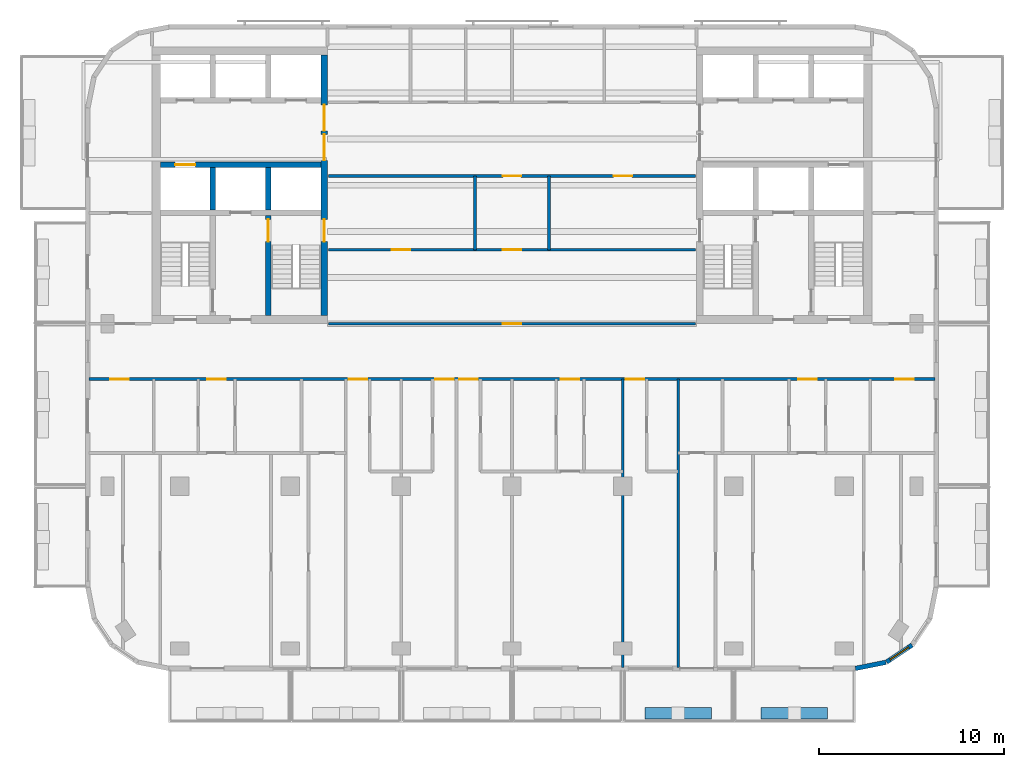
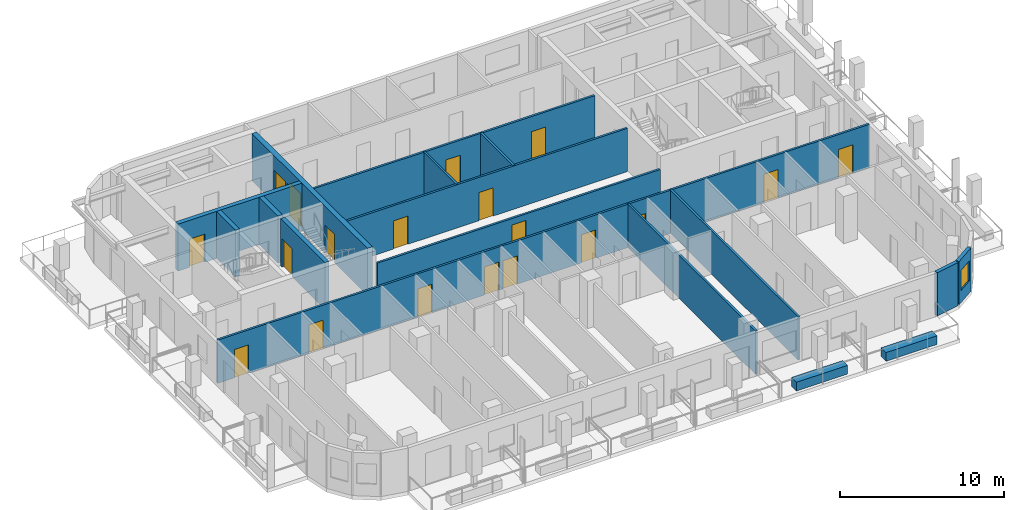
# One storey, part 4 of 11: 19 doors, 17 walls, 1 window, 20 openings.
"""IFC4 building model written with IfcOpenShell, lengths in metres."""

from ifc_helpers import new_model, si_unit, direction, frame, frame_2d, origin, place, context, subcontext, project, spatial, rectangle, extrude, material, layer, layer_set, type_object, element, fill, save


model = new_model("IFC4")

# Units and contexts
model_context = context("Model", 3, precision=1e-05, world=origin(), true_north=direction((0.0, 1.0)))
body_context = subcontext(model_context, "Body", "Model", "MODEL_VIEW")
ifc_project = project(units=[si_unit("LENGTHUNIT", "METRE"), si_unit("AREAUNIT", "SQUARE_METRE"), si_unit("VOLUMEUNIT", "CUBIC_METRE"), si_unit("PLANEANGLEUNIT", "RADIAN"), si_unit("MASSUNIT", "GRAM", prefix="KILO")], contexts=[model_context])

# Site, building, storey
site_placement = place(None, origin())
site = spatial("IfcSite", under=ifc_project, at=site_placement, CompositionType="ELEMENT")
building_placement = place(site_placement, origin())
building = spatial("IfcBuilding", under=site, at=building_placement, Name="Torana Hotel and Residences", CompositionType="ELEMENT")
storey_placement = place(building_placement, frame((0.0, 0.0, 270.10009765625)))
storey = spatial("IfcBuildingStorey", under=building, at=storey_placement, Name="L71", CompositionType="ELEMENT", Elevation=270.10009765625)

# Wall, opening, door
ifc_material_1 = material(Name="Concrete C60/75", Category="concrete")
ifc_layer_1 = layer(ifc_material_1, 0.300048828125)
ifc_layer_set_1 = layer_set([ifc_layer_1], Name="CORE WALL 300 C60/75")
wall_type_1 = type_object("IfcWallType", Name="CORE WALL 300 C60/75", PredefinedType="SHEAR", material=ifc_layer_set_1)
wall_1_placement = place(storey_placement, frame((-19.050048828125, -6.39990234375, 0.0), z_axis=(0.0, 0.0, 1.0), x_axis=(1.0, 0.0, 0.0)))
wall_1 = element("IfcWall", 1, at=wall_1_placement, inside=storey, type_object=wall_type_1, Name="Core wall W row-S", PredefinedType="SHEAR", context=body_context, shape_type="SweptSolid", body=[
    extrude(rectangle(XDim=8.699951171875, YDim=0.300048828125, at=frame_2d((4.35009765625, 0.0))), origin(), (0.0, 0.0, 1.0), 3.5),
])
opening_1_placement = place(wall_1_placement, frame((0.800048828125, 0.0, 0.0)))
opening_1 = element("IfcOpeningElement", 2, at=opening_1_placement, cuts=wall_1, Name="Opening LD", PredefinedType="OPENING", context=body_context, shape_type="SweptSolid", body=[
    extrude(rectangle(XDim=1.10009765625, YDim=2.10009765625, at=frame_2d((0.550048828125, 1.050048828125))), frame((0.0, 0.159912109375, 0.0), z_axis=(0.0, -1.0, 0.0), x_axis=(1.0, 0.0, 0.0)), (0.0, 0.0, 1.0), 0.320068359375),
])
ifc_material_2 = material(Name="Stainless steel 316", Category="steel")
door_type_1 = type_object("IfcDoorType", Name="LIFT LANDING DOOR LD 1100x2100", OperationType="DOUBLE_DOOR_SLIDING", PredefinedType="USERDEFINED", material=ifc_material_2)
door_1_placement = place(opening_1_placement, origin())
door_1 = element("IfcDoor", 3, at=door_1_placement, inside=storey, type_object=door_type_1, Name="Lift landing door SV1 L71", ObjectType="LIFT LANDING DOOR", OperationType="DOUBLE_DOOR_SLIDING", OverallHeight=2.10009765625, OverallWidth=1.10009765625, PredefinedType="USERDEFINED", context=body_context, shape_type="SweptSolid", body=[
    extrude(rectangle(XDim=1.10009765625, YDim=2.10009765625, at=frame_2d((0.550048828125, 1.050048828125))), frame((0.0, 0.02490234375, 0.0), z_axis=(0.0, -1.0, 0.0), x_axis=(1.0, 0.0, 0.0)), (0.0, 0.0, 1.0), 0.050048828125),
])
fill(opening_1, door_1)

# Wall
wall_2_placement = place(storey_placement, frame((-13.199951171875, -8.85009765625, 0.0), z_axis=(0.0, 0.0, 1.0), x_axis=(0.0, 1.0, 0.0)))
element("IfcWall", 4, at=wall_2_placement, inside=storey, type_object=wall_type_1, Name="Core wall W x3.05-S", PredefinedType="SHEAR", context=body_context, shape_type="SweptSolid", body=[
    extrude(rectangle(XDim=2.300048828125, YDim=0.300048828125, at=frame_2d((1.14990234375, 0.0))), origin(), (0.0, 0.0, 1.0), 3.5),
])

# Wall, opening, door
wall_3_placement = place(storey_placement, frame((-13.199951171875, -14.550048828125, 0.0), z_axis=(0.0, 0.0, 1.0), x_axis=(0.0, 1.0, 0.0)))
wall_3 = element("IfcWall", 5, at=wall_3_placement, inside=storey, type_object=wall_type_1, Name="Core wall W x3.05-band", PredefinedType="SHEAR", context=body_context, shape_type="SweptSolid", body=[
    extrude(rectangle(XDim=5.400146484375, YDim=0.300048828125, at=frame_2d((2.7001953125, 0.0))), origin(), (0.0, 0.0, 1.0), 3.5),
])
opening_2_placement = place(wall_3_placement, frame((4.0, 0.0, 0.0)))
opening_2 = element("IfcOpeningElement", 6, at=opening_2_placement, cuts=wall_3, Name="Opening L71-07", PredefinedType="OPENING", context=body_context, shape_type="SweptSolid", body=[
    extrude(rectangle(XDim=1.199951171875, YDim=2.10009765625, at=frame_2d((0.60009765625, 1.050048828125))), frame((0.0, 0.159912109375, 0.0), z_axis=(0.0, -1.0, 0.0), x_axis=(1.0, 0.0, 0.0)), (0.0, 0.0, 1.0), 0.320068359375),
])
ifc_material_3 = material(Name="Steel S235", Category="steel")
door_type_2 = type_object("IfcDoorType", Name="STAIR FIRE DOOR D3 1200x2100", OperationType="SINGLE_SWING_LEFT", PredefinedType="DOOR", material=ifc_material_3)
door_2_placement = place(opening_2_placement, frame((0.60009765625, 0.0, 0.0), z_axis=(0.0, 0.0, 1.0), x_axis=(-1.0, 0.0, 0.0)))
door_2 = element("IfcDoor", 7, at=door_2_placement, inside=storey, type_object=door_type_2, Name="Stair-A-lobby door L71", OperationType="SINGLE_SWING_RIGHT", OverallHeight=2.10009765625, OverallWidth=1.199951171875, PredefinedType="DOOR", context=body_context, shape_type="SweptSolid", body=[
    extrude(rectangle(XDim=1.199951171875, YDim=2.10009765625, at=frame_2d((0.0, 1.050048828125))), frame((0.0, -0.02490234375, 0.0), z_axis=(0.0, 1.0, 0.0), x_axis=(-1.0, 0.0, 0.0)), (0.0, 0.0, 1.0), 0.050048828125),
])
fill(opening_2, door_2)

# Wall
wall_4_placement = place(storey_placement, frame((-16.199951171875, -8.85009765625, 0.0), z_axis=(0.0, 0.0, 1.0), x_axis=(0.0, 1.0, 0.0)))
element("IfcWall", 8, at=wall_4_placement, inside=storey, type_object=wall_type_1, Name="Core wall W x6.05-S", PredefinedType="SHEAR", context=body_context, shape_type="SweptSolid", body=[
    extrude(rectangle(XDim=2.300048828125, YDim=0.300048828125, at=frame_2d((1.14990234375, 0.0))), origin(), (0.0, 0.0, 1.0), 3.5),
])

# Wall, openings, doors
ifc_material_4 = material(Name="Concrete C60/75", Category="concrete")
ifc_layer_2 = layer(ifc_material_4, 0.35009765625)
ifc_layer_set_2 = layer_set([ifc_layer_2], Name="CORE WALL 350 C60/75")
wall_type_2 = type_object("IfcWallType", Name="CORE WALL 350 C60/75", PredefinedType="SHEAR", material=ifc_layer_set_2)
wall_5_placement = place(storey_placement, frame((-10.175048828125, -14.550048828125, 0.0), z_axis=(0.0, 0.0, 1.0), x_axis=(0.0, 1.0, 0.0)))
wall_5 = element("IfcWall", 9, at=wall_5_placement, inside=storey, type_object=wall_type_2, Name="Core wall W arch", PredefinedType="SHEAR", context=body_context, shape_type="SweptSolid", body=[
    extrude(rectangle(XDim=14.10009765625, YDim=0.35009765625, at=frame_2d((7.050048828125, 0.0))), origin(), (0.0, 0.0, 1.0), 3.5),
])
opening_3_placement = place(wall_5_placement, frame((8.39990234375, 0.0, 0.0)))
opening_3 = element("IfcOpeningElement", 10, at=opening_3_placement, cuts=wall_5, Name="Opening L71-01", PredefinedType="OPENING", context=body_context, shape_type="SweptSolid", body=[
    extrude(rectangle(XDim=1.39990234375, YDim=2.39990234375, at=frame_2d((0.699951171875, 1.199951171875))), frame((0.0, 0.18505859375, 0.0), z_axis=(0.0, -1.0, 0.0), x_axis=(1.0, 0.0, 0.0)), (0.0, 0.0, 1.0), 0.3701171875),
])
opening_4_placement = place(wall_5_placement, frame((10.0, 0.0, 0.0)))
opening_4 = element("IfcOpeningElement", 11, at=opening_4_placement, cuts=wall_5, Name="Opening L71-02", PredefinedType="OPENING", context=body_context, shape_type="SweptSolid", body=[
    extrude(rectangle(XDim=1.39990234375, YDim=2.39990234375, at=frame_2d((0.699951171875, 1.199951171875))), frame((0.0, 0.18505859375, 0.0), z_axis=(0.0, -1.0, 0.0), x_axis=(1.0, 0.0, 0.0)), (0.0, 0.0, 1.0), 0.3701171875),
])
opening_5_placement = place(wall_5_placement, frame((4.0, 0.0, 0.0)))
opening_5 = element("IfcOpeningElement", 12, at=opening_5_placement, cuts=wall_5, Name="Opening L71-03", PredefinedType="OPENING", context=body_context, shape_type="SweptSolid", body=[
    extrude(rectangle(XDim=1.199951171875, YDim=2.10009765625, at=frame_2d((0.60009765625, 1.050048828125))), frame((0.0, 0.18505859375, 0.0), z_axis=(0.0, -1.0, 0.0), x_axis=(1.0, 0.0, 0.0)), (0.0, 0.0, 1.0), 0.3701171875),
])
ifc_material_5 = material(Name="Steel S235", Category="steel")
door_type_3 = type_object("IfcDoorType", Name="LOBBY FIRE DOOR D4 1400x2400", OperationType="DOUBLE_DOOR_SINGLE_SWING", PredefinedType="DOOR", material=ifc_material_5)
door_3_placement = place(opening_3_placement, origin())
door_3 = element("IfcDoor", 13, at=door_3_placement, inside=storey, type_object=door_type_3, Name="Lobby-1 door L71", OperationType="DOUBLE_DOOR_SINGLE_SWING", OverallHeight=2.39990234375, OverallWidth=1.39990234375, PredefinedType="DOOR", context=body_context, shape_type="SweptSolid", body=[
    extrude(rectangle(XDim=1.39990234375, YDim=2.39990234375, at=frame_2d((0.699951171875, 1.199951171875))), frame((0.0, 0.02490234375, 0.0), z_axis=(0.0, -1.0, 0.0), x_axis=(1.0, 0.0, 0.0)), (0.0, 0.0, 1.0), 0.050048828125),
])
fill(opening_3, door_3)
door_4_placement = place(opening_4_placement, origin())
door_4 = element("IfcDoor", 14, at=door_4_placement, inside=storey, type_object=door_type_3, Name="Lobby-2 door L71", OperationType="DOUBLE_DOOR_SINGLE_SWING", OverallHeight=2.39990234375, OverallWidth=1.39990234375, PredefinedType="DOOR", context=body_context, shape_type="SweptSolid", body=[
    extrude(rectangle(XDim=1.39990234375, YDim=2.39990234375, at=frame_2d((0.699951171875, 1.199951171875))), frame((0.0, 0.02490234375, 0.0), z_axis=(0.0, -1.0, 0.0), x_axis=(1.0, 0.0, 0.0)), (0.0, 0.0, 1.0), 0.050048828125),
])
fill(opening_4, door_4)
door_5_placement = place(opening_5_placement, origin())
door_5 = element("IfcDoor", 15, at=door_5_placement, inside=storey, type_object=door_type_2, Name="Stair-A door L71", OperationType="SINGLE_SWING_LEFT", OverallHeight=2.10009765625, OverallWidth=1.199951171875, PredefinedType="DOOR", context=body_context, shape_type="SweptSolid", body=[
    extrude(rectangle(XDim=1.199951171875, YDim=2.10009765625, at=frame_2d((0.60009765625, 1.050048828125))), frame((0.0, 0.02490234375, 0.0), z_axis=(0.0, -1.0, 0.0), x_axis=(1.0, 0.0, 0.0)), (0.0, 0.0, 1.0), 0.050048828125),
])
fill(opening_5, door_5)

# Wall
ifc_material_6 = material(Name="Black aluminium composite panel", Category="aluminium")
ifc_layer_3 = layer(ifc_material_6, 0.00390625, Name="Cladding", Category="cladding")
ifc_material_7 = material(Name="Ventilated air cavity")
ifc_layer_4 = layer(ifc_material_7, 0.0400390625, Name="Ventilated cavity", Category="cavity")
ifc_material_8 = material(Name="Mineral wool insulation")
ifc_layer_5 = layer(ifc_material_8, 0.090087890625, Name="Insulation", Category="insulation")
ifc_material_9 = material(Name="Steel S280GD", Category="steel")
ifc_layer_6 = layer(ifc_material_9, 0.092041015625, Name="Steel stud frame", Category="structure")
ifc_material_10 = material(Name="Fire rated plasterboard")
ifc_layer_7 = layer(ifc_material_10, 0.011962890625, Name="Inner board", Category="finish")
ifc_layer_8 = layer(ifc_material_10, 0.011962890625, Name="Second board", Category="finish")
ifc_layer_set_3 = layer_set([ifc_layer_3, ifc_layer_4, ifc_layer_5, ifc_layer_6, ifc_layer_7, ifc_layer_8], Name="EW1 EXTERNAL WALL BLACK METAL CLAD 250")
wall_type_3 = type_object("IfcWallType", Name="EW1 EXTERNAL WALL BLACK METAL CLAD 250", PredefinedType="SOLIDWALL", material=ifc_layer_set_3)
wall_6_placement = place(storey_placement, frame((18.599853515625, -33.672607421875, 0.0), z_axis=(0.0, 0.0, 1.0), x_axis=(0.980770110232, 0.195166572128, 0.0)))
element("IfcWall", 16, at=wall_6_placement, inside=storey, type_object=wall_type_3, Name="External wall L71 e0.15", PredefinedType="SOLIDWALL", context=body_context, shape_type="SweptSolid", body=[
    extrude(rectangle(XDim=1.68115234375, YDim=0.25, at=frame_2d((0.840576171875, 0.0))), origin(), (0.0, 0.0, 1.0), 3.219970703125),
])

# Wall, opening, window
wall_7_placement = place(storey_placement, frame((20.2939453125, -33.325927734375, 0.0), z_axis=(0.0, 0.0, 1.0), x_axis=(0.831482937015, 0.55555029066, 0.0)))
wall_7 = element("IfcWall", 17, at=wall_7_placement, inside=storey, type_object=wall_type_3, Name="External wall L71 e0.16", PredefinedType="SOLIDWALL", context=body_context, shape_type="SweptSolid", body=[
    extrude(rectangle(XDim=1.65625, YDim=0.25, at=frame_2d((0.828125, 0.0))), origin(), (0.0, 0.0, 1.0), 3.219970703125),
])
opening_6_placement = place(wall_7_placement, frame((0.228271484375, 0.0, 0.89990234375)))
opening_6 = element("IfcOpeningElement", 18, at=opening_6_placement, cuts=wall_7, Name="Opening W5", PredefinedType="OPENING", context=body_context, shape_type="SweptSolid", body=[
    extrude(rectangle(XDim=1.199951171875, YDim=1.5, at=frame_2d((0.60009765625, 0.75))), frame((0.0, 0.135009765625, 0.0), z_axis=(0.0, -1.0, 0.0), x_axis=(1.0, 0.0, 0.0)), (0.0, 0.0, 1.0), 0.27001953125),
])
ifc_material_11 = material(Name="Dark glass in black aluminium frame", Category="aluminium")
window_type = type_object("IfcWindowType", Name="W5 CORNER FACET WINDOW 1200x1500", PartitioningType="SINGLE_PANEL", PredefinedType="WINDOW", material=ifc_material_11)
window_placement = place(opening_6_placement, origin())
window = element("IfcWindow", 19, at=window_placement, inside=storey, type_object=window_type, Name="Window L71 e0.16", OverallHeight=1.5, OverallWidth=1.199951171875, PartitioningType="SINGLE_PANEL", PredefinedType="WINDOW", context=body_context, shape_type="SweptSolid", body=[
    extrude(rectangle(XDim=1.199951171875, YDim=1.5, at=frame_2d((0.60009765625, 0.75))), frame((0.0, 0.030029296875, 0.0), z_axis=(0.0, -1.0, 0.0), x_axis=(1.0, 0.0, 0.0)), (0.0, 0.0, 1.0), 0.06005859375),
])
fill(opening_6, window)

# Walls
ifc_material_12 = material(Name="Gypsum plaster")
ifc_layer_9 = layer(ifc_material_12, 0.014892578125, Name="Plaster", Category="finish")
ifc_material_13 = material(Name="Concrete blockwork", Category="masonry")
ifc_layer_10 = layer(ifc_material_13, 0.1201171875, Name="Blockwork", Category="structure")
ifc_layer_11 = layer(ifc_material_12, 0.014892578125, Name="Plaster", Category="finish")
ifc_layer_set_4 = layer_set([ifc_layer_9, ifc_layer_10, ifc_layer_11], Name="FIRE PARTITION 150 BLOCKWORK")
wall_type_4 = type_object("IfcWallType", Name="FIRE PARTITION 150 BLOCKWORK", PredefinedType="PARTITIONING", material=ifc_layer_set_4)
for number, where, z_axis, x_axis, name in (
    (20, (2.0, -11.0, 0.0), (0.0, 0.0, 1.0), (0.0, 1.0, 0.0), "Partition L71"),
    (21, (-2.0, -11.0, 0.0), (0.0, 0.0, 1.0), (0.0, 1.0, 0.0), "Partition L71"),
):
    element("IfcWall", number, at=place(storey_placement, frame(where, z_axis=z_axis, x_axis=x_axis)), inside=storey, type_object=wall_type_4, Name=name, PredefinedType="PARTITIONING", context=body_context, shape_type="SweptSolid", body=[
        extrude(rectangle(XDim=4.0, YDim=0.14990234375, at=frame_2d((2.0, 0.0))), origin(), (0.0, 0.0, 1.0), 3.219970703125),
    ])

# Wall, openings, doors
wall_8_placement = place(storey_placement, frame((-22.919921875, -18.0, 0.0), z_axis=(0.0, 0.0, 1.0), x_axis=(1.0, 0.0, 0.0)))
wall_8 = element("IfcWall", 22, at=wall_8_placement, inside=storey, type_object=wall_type_4, Name="Partition L71", PredefinedType="PARTITIONING", context=body_context, shape_type="SweptSolid", body=[
    extrude(rectangle(XDim=45.83984375, YDim=0.14990234375, at=frame_2d((22.919921875, 0.0))), origin(), (0.0, 0.0, 1.0), 3.219970703125),
])
opening_7_placement = place(wall_8_placement, frame((14.070068359375, 0.0, 0.0)))
opening_7 = element("IfcOpeningElement", 23, at=opening_7_placement, cuts=wall_8, Name="Opening L71-18", PredefinedType="OPENING", context=body_context, shape_type="SweptSolid", body=[
    extrude(rectangle(XDim=1.0, YDim=2.10009765625, at=frame_2d((0.5, 1.050048828125))), frame((0.0, 0.0849609375, 0.0), z_axis=(0.0, -1.0, 0.0), x_axis=(1.0, 0.0, 0.0)), (0.0, 0.0, 1.0), 0.169921875),
])
opening_8_placement = place(wall_8_placement, frame((18.77001953125, 0.0, 0.0)))
opening_8 = element("IfcOpeningElement", 24, at=opening_8_placement, cuts=wall_8, Name="Opening L71-19", PredefinedType="OPENING", context=body_context, shape_type="SweptSolid", body=[
    extrude(rectangle(XDim=1.0, YDim=2.10009765625, at=frame_2d((0.5, 1.050048828125))), frame((0.0, 0.0849609375, 0.0), z_axis=(0.0, -1.0, 0.0), x_axis=(1.0, 0.0, 0.0)), (0.0, 0.0, 1.0), 0.169921875),
])
opening_9_placement = place(wall_8_placement, frame((20.070068359375, 0.0, 0.0)))
opening_9 = element("IfcOpeningElement", 25, at=opening_9_placement, cuts=wall_8, Name="Opening L71-20", PredefinedType="OPENING", context=body_context, shape_type="SweptSolid", body=[
    extrude(rectangle(XDim=1.0, YDim=2.10009765625, at=frame_2d((0.5, 1.050048828125))), frame((0.0, 0.0849609375, 0.0), z_axis=(0.0, -1.0, 0.0), x_axis=(1.0, 0.0, 0.0)), (0.0, 0.0, 1.0), 0.169921875),
])
opening_10_placement = place(wall_8_placement, frame((25.570068359375, 0.0, 0.0)))
opening_10 = element("IfcOpeningElement", 26, at=opening_10_placement, cuts=wall_8, Name="Opening L71-21", PredefinedType="OPENING", context=body_context, shape_type="SweptSolid", body=[
    extrude(rectangle(XDim=1.0, YDim=2.10009765625, at=frame_2d((0.5, 1.050048828125))), frame((0.0, 0.0849609375, 0.0), z_axis=(0.0, -1.0, 0.0), x_axis=(1.0, 0.0, 0.0)), (0.0, 0.0, 1.0), 0.169921875),
])
opening_11_placement = place(wall_8_placement, frame((29.070068359375, 0.0, 0.0)))
opening_11 = element("IfcOpeningElement", 27, at=opening_11_placement, cuts=wall_8, Name="Opening L71-22", PredefinedType="OPENING", context=body_context, shape_type="SweptSolid", body=[
    extrude(rectangle(XDim=1.0, YDim=2.10009765625, at=frame_2d((0.5, 1.050048828125))), frame((0.0, 0.0849609375, 0.0), z_axis=(0.0, -1.0, 0.0), x_axis=(1.0, 0.0, 0.0)), (0.0, 0.0, 1.0), 0.169921875),
])
opening_12_placement = place(wall_8_placement, frame((6.419921875, 0.0, 0.0)))
opening_12 = element("IfcOpeningElement", 28, at=opening_12_placement, cuts=wall_8, Name="Opening L71-23", PredefinedType="OPENING", context=body_context, shape_type="SweptSolid", body=[
    extrude(rectangle(XDim=1.0, YDim=2.10009765625, at=frame_2d((0.5, 1.050048828125))), frame((0.0, 0.0849609375, 0.0), z_axis=(0.0, -1.0, 0.0), x_axis=(1.0, 0.0, 0.0)), (0.0, 0.0, 1.0), 0.169921875),
])
opening_13_placement = place(wall_8_placement, frame((1.169921875, 0.0, 0.0)))
opening_13 = element("IfcOpeningElement", 29, at=opening_13_placement, cuts=wall_8, Name="Opening L71-24", PredefinedType="OPENING", context=body_context, shape_type="SweptSolid", body=[
    extrude(rectangle(XDim=1.0, YDim=2.10009765625, at=frame_2d((0.5, 1.050048828125))), frame((0.0, 0.0849609375, 0.0), z_axis=(0.0, -1.0, 0.0), x_axis=(1.0, 0.0, 0.0)), (0.0, 0.0, 1.0), 0.169921875),
])
opening_14_placement = place(wall_8_placement, frame((38.419921875, 0.0, 0.0)))
opening_14 = element("IfcOpeningElement", 30, at=opening_14_placement, cuts=wall_8, Name="Opening L71-25", PredefinedType="OPENING", context=body_context, shape_type="SweptSolid", body=[
    extrude(rectangle(XDim=1.0, YDim=2.10009765625, at=frame_2d((0.5, 1.050048828125))), frame((0.0, 0.0849609375, 0.0), z_axis=(0.0, -1.0, 0.0), x_axis=(1.0, 0.0, 0.0)), (0.0, 0.0, 1.0), 0.169921875),
])
opening_15_placement = place(wall_8_placement, frame((43.669921875, 0.0, 0.0)))
opening_15 = element("IfcOpeningElement", 31, at=opening_15_placement, cuts=wall_8, Name="Opening L71-26", PredefinedType="OPENING", context=body_context, shape_type="SweptSolid", body=[
    extrude(rectangle(XDim=1.0, YDim=2.10009765625, at=frame_2d((0.5, 1.050048828125))), frame((0.0, 0.0849609375, 0.0), z_axis=(0.0, -1.0, 0.0), x_axis=(1.0, 0.0, 0.0)), (0.0, 0.0, 1.0), 0.169921875),
])
ifc_material_14 = material(Name="Steel S235", Category="steel")
door_type_4 = type_object("IfcDoorType", Name="ENTRY FIRE DOOR D6 1000x2100", OperationType="SINGLE_SWING_LEFT", PredefinedType="DOOR", material=ifc_material_14)
door_6_placement = place(opening_7_placement, frame((0.5, 0.0, 0.0), z_axis=(0.0, 0.0, 1.0), x_axis=(-1.0, 0.0, 0.0)))
door_6 = element("IfcDoor", 32, at=door_6_placement, inside=storey, type_object=door_type_4, Name="Door L71", OperationType="SINGLE_SWING_LEFT", OverallHeight=2.10009765625, OverallWidth=1.0, PredefinedType="DOOR", context=body_context, shape_type="SweptSolid", body=[
    extrude(rectangle(XDim=1.0, YDim=2.10009765625, at=frame_2d((0.0, 1.050048828125))), frame((0.0, -0.02490234375, 0.0), z_axis=(0.0, 1.0, 0.0), x_axis=(-1.0, 0.0, 0.0)), (0.0, 0.0, 1.0), 0.050048828125),
])
fill(opening_7, door_6)
door_7_placement = place(opening_8_placement, frame((0.5, 0.0, 0.0), z_axis=(0.0, 0.0, 1.0), x_axis=(-1.0, 0.0, 0.0)))
door_7 = element("IfcDoor", 33, at=door_7_placement, inside=storey, type_object=door_type_4, Name="Door L71", OperationType="SINGLE_SWING_LEFT", OverallHeight=2.10009765625, OverallWidth=1.0, PredefinedType="DOOR", context=body_context, shape_type="SweptSolid", body=[
    extrude(rectangle(XDim=1.0, YDim=2.10009765625, at=frame_2d((0.0, 1.050048828125))), frame((0.0, -0.02490234375, 0.0), z_axis=(0.0, 1.0, 0.0), x_axis=(-1.0, 0.0, 0.0)), (0.0, 0.0, 1.0), 0.050048828125),
])
fill(opening_8, door_7)
door_8_placement = place(opening_9_placement, frame((0.5, 0.0, 0.0), z_axis=(0.0, 0.0, 1.0), x_axis=(-1.0, 0.0, 0.0)))
door_8 = element("IfcDoor", 34, at=door_8_placement, inside=storey, type_object=door_type_4, Name="Door L71", OperationType="SINGLE_SWING_LEFT", OverallHeight=2.10009765625, OverallWidth=1.0, PredefinedType="DOOR", context=body_context, shape_type="SweptSolid", body=[
    extrude(rectangle(XDim=1.0, YDim=2.10009765625, at=frame_2d((0.0, 1.050048828125))), frame((0.0, -0.02490234375, 0.0), z_axis=(0.0, 1.0, 0.0), x_axis=(-1.0, 0.0, 0.0)), (0.0, 0.0, 1.0), 0.050048828125),
])
fill(opening_9, door_8)
door_9_placement = place(opening_10_placement, origin())
door_9 = element("IfcDoor", 35, at=door_9_placement, inside=storey, type_object=door_type_4, Name="Door L71", OperationType="SINGLE_SWING_RIGHT", OverallHeight=2.10009765625, OverallWidth=1.0, PredefinedType="DOOR", context=body_context, shape_type="SweptSolid", body=[
    extrude(rectangle(XDim=1.0, YDim=2.10009765625, at=frame_2d((0.5, 1.050048828125))), frame((0.0, 0.02490234375, 0.0), z_axis=(0.0, -1.0, 0.0), x_axis=(1.0, 0.0, 0.0)), (0.0, 0.0, 1.0), 0.050048828125),
])
fill(opening_10, door_9)
door_10_placement = place(opening_11_placement, frame((0.5, 0.0, 0.0), z_axis=(0.0, 0.0, 1.0), x_axis=(-1.0, 0.0, 0.0)))
door_10 = element("IfcDoor", 36, at=door_10_placement, inside=storey, type_object=door_type_4, Name="Door L71", OperationType="SINGLE_SWING_LEFT", OverallHeight=2.10009765625, OverallWidth=1.0, PredefinedType="DOOR", context=body_context, shape_type="SweptSolid", body=[
    extrude(rectangle(XDim=1.0, YDim=2.10009765625, at=frame_2d((0.0, 1.050048828125))), frame((0.0, -0.02490234375, 0.0), z_axis=(0.0, 1.0, 0.0), x_axis=(-1.0, 0.0, 0.0)), (0.0, 0.0, 1.0), 0.050048828125),
])
fill(opening_11, door_10)
door_11_placement = place(opening_12_placement, origin())
door_11 = element("IfcDoor", 37, at=door_11_placement, inside=storey, type_object=door_type_4, Name="Door L71", OperationType="SINGLE_SWING_RIGHT", OverallHeight=2.10009765625, OverallWidth=1.0, PredefinedType="DOOR", context=body_context, shape_type="SweptSolid", body=[
    extrude(rectangle(XDim=1.0, YDim=2.10009765625, at=frame_2d((0.5, 1.050048828125))), frame((0.0, 0.02490234375, 0.0), z_axis=(0.0, -1.0, 0.0), x_axis=(1.0, 0.0, 0.0)), (0.0, 0.0, 1.0), 0.050048828125),
])
fill(opening_12, door_11)
door_12_placement = place(opening_13_placement, frame((0.5, 0.0, 0.0), z_axis=(0.0, 0.0, 1.0), x_axis=(-1.0, 0.0, 0.0)))
door_12 = element("IfcDoor", 38, at=door_12_placement, inside=storey, type_object=door_type_4, Name="Door L71", OperationType="SINGLE_SWING_LEFT", OverallHeight=2.10009765625, OverallWidth=1.0, PredefinedType="DOOR", context=body_context, shape_type="SweptSolid", body=[
    extrude(rectangle(XDim=1.0, YDim=2.10009765625, at=frame_2d((0.0, 1.050048828125))), frame((0.0, -0.02490234375, 0.0), z_axis=(0.0, 1.0, 0.0), x_axis=(-1.0, 0.0, 0.0)), (0.0, 0.0, 1.0), 0.050048828125),
])
fill(opening_13, door_12)
door_13_placement = place(opening_14_placement, origin())
door_13 = element("IfcDoor", 39, at=door_13_placement, inside=storey, type_object=door_type_4, Name="Door L71", OperationType="SINGLE_SWING_RIGHT", OverallHeight=2.10009765625, OverallWidth=1.0, PredefinedType="DOOR", context=body_context, shape_type="SweptSolid", body=[
    extrude(rectangle(XDim=1.0, YDim=2.10009765625, at=frame_2d((0.5, 1.050048828125))), frame((0.0, 0.02490234375, 0.0), z_axis=(0.0, -1.0, 0.0), x_axis=(1.0, 0.0, 0.0)), (0.0, 0.0, 1.0), 0.050048828125),
])
fill(opening_14, door_13)
door_14_placement = place(opening_15_placement, frame((0.5, 0.0, 0.0), z_axis=(0.0, 0.0, 1.0), x_axis=(-1.0, 0.0, 0.0)))
door_14 = element("IfcDoor", 40, at=door_14_placement, inside=storey, type_object=door_type_4, Name="Door L71", OperationType="SINGLE_SWING_RIGHT", OverallHeight=2.10009765625, OverallWidth=1.0, PredefinedType="DOOR", context=body_context, shape_type="SweptSolid", body=[
    extrude(rectangle(XDim=1.0, YDim=2.10009765625, at=frame_2d((0.0, 1.050048828125))), frame((0.0, -0.02490234375, 0.0), z_axis=(0.0, 1.0, 0.0), x_axis=(-1.0, 0.0, 0.0)), (0.0, 0.0, 1.0), 0.050048828125),
])
fill(opening_15, door_14)

# Wall, opening, door
wall_9_placement = place(storey_placement, frame((-9.949951171875, -15.0, 0.0), z_axis=(0.0, 0.0, 1.0), x_axis=(1.0, 0.0, 0.0)))
wall_9 = element("IfcWall", 41, at=wall_9_placement, inside=storey, type_object=wall_type_4, Name="Partition L71", PredefinedType="PARTITIONING", context=body_context, shape_type="SweptSolid", body=[
    extrude(rectangle(XDim=19.89990234375, YDim=0.14990234375, at=frame_2d((9.949951171875, 0.0))), origin(), (0.0, 0.0, 1.0), 2.583984375),
])
opening_16_placement = place(wall_9_placement, frame((9.449951171875, 0.0, 0.0)))
opening_16 = element("IfcOpeningElement", 42, at=opening_16_placement, cuts=wall_9, Name="Opening L71-17", PredefinedType="OPENING", context=body_context, shape_type="SweptSolid", body=[
    extrude(rectangle(XDim=1.0, YDim=2.10009765625, at=frame_2d((0.5, 1.050048828125))), frame((0.0, 0.0849609375, 0.0), z_axis=(0.0, -1.0, 0.0), x_axis=(1.0, 0.0, 0.0)), (0.0, 0.0, 1.0), 0.169921875),
])
door_15_placement = place(opening_16_placement, origin())
door_15 = element("IfcDoor", 43, at=door_15_placement, inside=storey, type_object=door_type_4, Name="Door L71", OperationType="SINGLE_SWING_RIGHT", OverallHeight=2.10009765625, OverallWidth=1.0, PredefinedType="DOOR", context=body_context, shape_type="SweptSolid", body=[
    extrude(rectangle(XDim=1.0, YDim=2.10009765625, at=frame_2d((0.5, 1.050048828125))), frame((0.0, 0.02490234375, 0.0), z_axis=(0.0, -1.0, 0.0), x_axis=(1.0, 0.0, 0.0)), (0.0, 0.0, 1.0), 0.050048828125),
])
fill(opening_16, door_15)

# Wall, openings, doors
wall_10_placement = place(storey_placement, frame((-9.949951171875, -11.0, 0.0), z_axis=(0.0, 0.0, 1.0), x_axis=(1.0, 0.0, 0.0)))
wall_10 = element("IfcWall", 44, at=wall_10_placement, inside=storey, type_object=wall_type_4, Name="Partition L71", PredefinedType="PARTITIONING", context=body_context, shape_type="SweptSolid", body=[
    extrude(rectangle(XDim=19.89990234375, YDim=0.14990234375, at=frame_2d((9.949951171875, 0.0))), origin(), (0.0, 0.0, 1.0), 3.219970703125),
])
opening_17_placement = place(wall_10_placement, frame((9.449951171875, 0.0, 0.0)))
opening_17 = element("IfcOpeningElement", 45, at=opening_17_placement, cuts=wall_10, Name="Opening L71-29", PredefinedType="OPENING", context=body_context, shape_type="SweptSolid", body=[
    extrude(rectangle(XDim=1.0, YDim=2.10009765625, at=frame_2d((0.5, 1.050048828125))), frame((0.0, 0.0849609375, 0.0), z_axis=(0.0, -1.0, 0.0), x_axis=(1.0, 0.0, 0.0)), (0.0, 0.0, 1.0), 0.169921875),
])
opening_18_placement = place(wall_10_placement, frame((3.449951171875, 0.0, 0.0)))
opening_18 = element("IfcOpeningElement", 46, at=opening_18_placement, cuts=wall_10, Name="Opening L71-30", PredefinedType="OPENING", context=body_context, shape_type="SweptSolid", body=[
    extrude(rectangle(XDim=1.0, YDim=2.10009765625, at=frame_2d((0.5, 1.050048828125))), frame((0.0, 0.0849609375, 0.0), z_axis=(0.0, -1.0, 0.0), x_axis=(1.0, 0.0, 0.0)), (0.0, 0.0, 1.0), 0.169921875),
])
door_16_placement = place(opening_17_placement, origin())
door_16 = element("IfcDoor", 47, at=door_16_placement, inside=storey, type_object=door_type_4, Name="Door L71", OperationType="SINGLE_SWING_RIGHT", OverallHeight=2.10009765625, OverallWidth=1.0, PredefinedType="DOOR", context=body_context, shape_type="SweptSolid", body=[
    extrude(rectangle(XDim=1.0, YDim=2.10009765625, at=frame_2d((0.5, 1.050048828125))), frame((0.0, 0.02490234375, 0.0), z_axis=(0.0, -1.0, 0.0), x_axis=(1.0, 0.0, 0.0)), (0.0, 0.0, 1.0), 0.050048828125),
])
fill(opening_17, door_16)
door_17_placement = place(opening_18_placement, origin())
door_17 = element("IfcDoor", 48, at=door_17_placement, inside=storey, type_object=door_type_4, Name="Door L71", OperationType="SINGLE_SWING_RIGHT", OverallHeight=2.10009765625, OverallWidth=1.0, PredefinedType="DOOR", context=body_context, shape_type="SweptSolid", body=[
    extrude(rectangle(XDim=1.0, YDim=2.10009765625, at=frame_2d((0.5, 1.050048828125))), frame((0.0, 0.02490234375, 0.0), z_axis=(0.0, -1.0, 0.0), x_axis=(1.0, 0.0, 0.0)), (0.0, 0.0, 1.0), 0.050048828125),
])
fill(opening_18, door_17)

wall_11_placement = place(storey_placement, frame((-9.949951171875, -7.0, 0.0), z_axis=(0.0, 0.0, 1.0), x_axis=(1.0, 0.0, 0.0)))
wall_11 = element("IfcWall", 49, at=wall_11_placement, inside=storey, type_object=wall_type_4, Name="Partition L71", PredefinedType="PARTITIONING", context=body_context, shape_type="SweptSolid", body=[
    extrude(rectangle(XDim=19.89990234375, YDim=0.14990234375, at=frame_2d((9.949951171875, 0.0))), origin(), (0.0, 0.0, 1.0), 3.219970703125),
])
opening_19_placement = place(wall_11_placement, frame((9.449951171875, 0.0, 0.0)))
opening_19 = element("IfcOpeningElement", 50, at=opening_19_placement, cuts=wall_11, Name="Opening L71-31", PredefinedType="OPENING", context=body_context, shape_type="SweptSolid", body=[
    extrude(rectangle(XDim=1.0, YDim=2.10009765625, at=frame_2d((0.5, 1.050048828125))), frame((0.0, 0.0849609375, 0.0), z_axis=(0.0, -1.0, 0.0), x_axis=(1.0, 0.0, 0.0)), (0.0, 0.0, 1.0), 0.169921875),
])
opening_20_placement = place(wall_11_placement, frame((15.449951171875, 0.0, 0.0)))
opening_20 = element("IfcOpeningElement", 51, at=opening_20_placement, cuts=wall_11, Name="Opening L71-32", PredefinedType="OPENING", context=body_context, shape_type="SweptSolid", body=[
    extrude(rectangle(XDim=1.0, YDim=2.10009765625, at=frame_2d((0.5, 1.050048828125))), frame((0.0, 0.0849609375, 0.0), z_axis=(0.0, -1.0, 0.0), x_axis=(1.0, 0.0, 0.0)), (0.0, 0.0, 1.0), 0.169921875),
])
door_18_placement = place(opening_19_placement, origin())
door_18 = element("IfcDoor", 52, at=door_18_placement, inside=storey, type_object=door_type_4, Name="Door L71", OperationType="SINGLE_SWING_RIGHT", OverallHeight=2.10009765625, OverallWidth=1.0, PredefinedType="DOOR", context=body_context, shape_type="SweptSolid", body=[
    extrude(rectangle(XDim=1.0, YDim=2.10009765625, at=frame_2d((0.5, 1.050048828125))), frame((0.0, 0.02490234375, 0.0), z_axis=(0.0, -1.0, 0.0), x_axis=(1.0, 0.0, 0.0)), (0.0, 0.0, 1.0), 0.050048828125),
])
fill(opening_19, door_18)
door_19_placement = place(opening_20_placement, frame((0.5, 0.0, 0.0), z_axis=(0.0, 0.0, 1.0), x_axis=(-1.0, 0.0, 0.0)))
door_19 = element("IfcDoor", 53, at=door_19_placement, inside=storey, type_object=door_type_4, Name="Door L71", OperationType="SINGLE_SWING_LEFT", OverallHeight=2.10009765625, OverallWidth=1.0, PredefinedType="DOOR", context=body_context, shape_type="SweptSolid", body=[
    extrude(rectangle(XDim=1.0, YDim=2.10009765625, at=frame_2d((0.0, 1.050048828125))), frame((0.0, -0.02490234375, 0.0), z_axis=(0.0, 1.0, 0.0), x_axis=(-1.0, 0.0, 0.0)), (0.0, 0.0, 1.0), 0.050048828125),
])
fill(opening_20, door_19)

# Walls
ifc_material_15 = material(Name="Gypsum plasterboard")
ifc_layer_12 = layer(ifc_material_15, 0.012451171875, Name="Plasterboard", Category="finish")
ifc_layer_13 = layer(ifc_material_15, 0.012451171875, Name="Plasterboard", Category="finish")
ifc_layer_14 = layer(ifc_material_9, 0.10009765625, Name="Steel studs with mineral wool", Category="insulation")
ifc_layer_15 = layer(ifc_material_15, 0.012451171875, Name="Plasterboard", Category="finish")
ifc_layer_16 = layer(ifc_material_15, 0.012451171875, Name="Plasterboard", Category="finish")
ifc_layer_set_5 = layer_set([ifc_layer_12, ifc_layer_13, ifc_layer_14, ifc_layer_15, ifc_layer_16], Name="PARTITION 150 PLASTERBOARD")
wall_type_5 = type_object("IfcWallType", Name="PARTITION 150 PLASTERBOARD", PredefinedType="PARTITIONING", material=ifc_layer_set_5)
for number, where, z_axis, x_axis, name in (
    (54, (9.0, -33.6201171875, 0.0), (0.0, 0.0, 1.0), (0.0, 1.0, 0.0), "Partition L71"),
    (55, (6.0, -33.6201171875, 0.0), (0.0, 0.0, 1.0), (0.0, 1.0, 0.0), "Partition L71"),
):
    element("IfcWall", number, at=place(storey_placement, frame(where, z_axis=z_axis, x_axis=x_axis)), inside=storey, type_object=wall_type_5, Name=name, PredefinedType="PARTITIONING", context=body_context, shape_type="SweptSolid", body=[
        extrude(rectangle(XDim=15.6201171875, YDim=0.14990234375, at=frame_2d((7.81005859375, 0.0))), origin(), (0.0, 0.0, 1.0), 3.219970703125),
    ])
ifc_material_16 = material(Name="Concrete C40/50 precast", Category="concrete")
ifc_layer_17 = layer(ifc_material_16, 0.10009765625, Name="Planter shell", Category="structure")
ifc_material_17 = material(Name="Root resistant membrane")
ifc_layer_18 = layer(ifc_material_17, 0.00390625, Name="Waterproofing membrane", Category="membrane")
ifc_material_18 = material(Name="Drainage board with filter fleece")
ifc_layer_19 = layer(ifc_material_18, 0.02001953125, Name="Drainage board", Category="drainage")
ifc_material_19 = material(Name="Growing medium")
ifc_layer_20 = layer(ifc_material_19, 0.47607421875, Name="Planting substrate", Category="soil")
ifc_layer_set_6 = layer_set([ifc_layer_17, ifc_layer_18, ifc_layer_19, ifc_layer_20], Name="PL1 BALCONY PLANTER 600")
wall_type_6 = type_object("IfcWallType", Name="PL1 BALCONY PLANTER 600", PredefinedType="USERDEFINED", material=ifc_layer_set_6)
for number, where, z_axis, x_axis, name in (
    (56, (10.800048828125, -36.10009765625, 0.0), (0.0, 0.0, 1.0), (-1.0, 0.0, 0.0), "Planter 05"),
    (57, (17.10009765625, -36.10009765625, 0.0), (0.0, 0.0, 1.0), (-1.0, 0.0, 0.0), "Planter 06"),
):
    element("IfcWall", number, at=place(storey_placement, frame(where, z_axis=z_axis, x_axis=x_axis)), inside=storey, type_object=wall_type_6, Name=name, ObjectType="PLANTER", PredefinedType="USERDEFINED", context=body_context, shape_type="SweptSolid", body=[
        extrude(rectangle(XDim=3.60009765625, YDim=0.60009765625, at=frame_2d((1.800048828125, 0.0))), origin(), (0.0, 0.0, 1.0), 0.64990234375),
    ])

save(model, "model.ifc")
